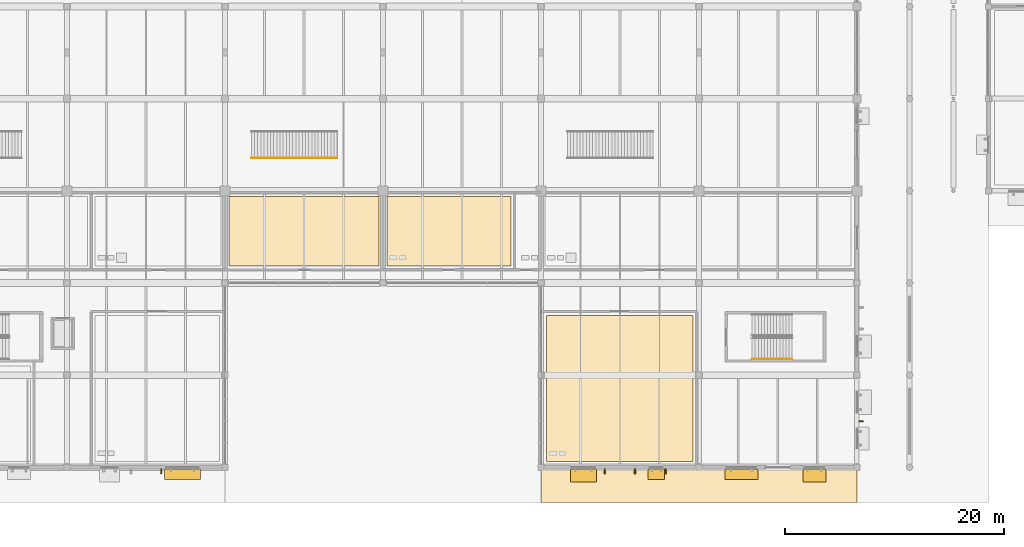
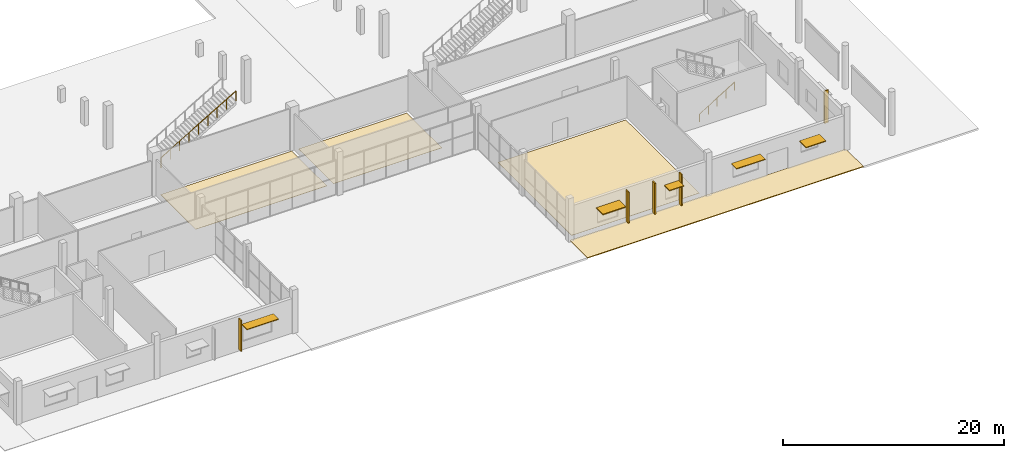
# One storey, part 114 of 130: 10 shading devices, 4 coverings, 2 railings.
"""IFC4 building model written with IfcOpenShell, lengths in metres."""

import ifcopenshell
import ifcopenshell.guid

model = None  # the IFC model being written
_history = None  # IfcOwnerHistory: only IFC2X3 demands one
_inside = {}  # id of a spatial element -> (the spatial element, [elements in it])
_under = {}  # id of a project, library or spatial element -> (it, [spatial elements below it])
_declared = {}  # id of a project -> (the project, [libraries it declares])
_typed = {}  # id of a type object -> (the type object, [elements of that type])
_made_of = {}  # id of a material, layer set ... -> (it, [elements and type objects made of it])


def new_model(schema):
    """Start an empty IFC model of exactly this schema.

    Asked for "IFC4X3", IfcOpenShell would pick the latest addendum, in which some entities
    have other attributes; the version numbers below select the first issue.
    IFC2X3 requires an IfcOwnerHistory on every rooted entity: one is made here for all.
    """
    global model, _history
    if schema == "IFC4X3":
        model = ifcopenshell.file(schema_version=(4, 3, 0, 0))
    else:
        model = ifcopenshell.file(schema=schema)
    _inside.clear()
    _under.clear()
    _declared.clear()
    _typed.clear()
    _made_of.clear()
    _history = None
    if model.schema == "IFC2X3":
        org = make("IfcOrganization", Name="unknown")
        user = make(
            "IfcPersonAndOrganization",
            ThePerson=make("IfcPerson", FamilyName="unknown"),
            TheOrganization=org,
        )
        app = make(
            "IfcApplication",
            ApplicationDeveloper=org,
            Version="unknown",
            ApplicationFullName="unknown",
            ApplicationIdentifier="unknown",
        )
        _history = make(
            "IfcOwnerHistory",
            OwningUser=user,
            OwningApplication=app,
            ChangeAction="ADDED",
            CreationDate=0,
        )
    return model


def make(cls, **values):
    """One entity of the class cls with the attributes given. An attribute that is None is left unset."""
    return model.create_entity(
        cls, **{name: value for name, value in values.items() if value is not None}
    )


def rooted(cls, **values):
    """An entity with a GlobalId (a new one), such as an element, a storey or a relation."""
    return make(cls, GlobalId=ifcopenshell.guid.new(), OwnerHistory=_history, **values)


def si_unit(unit_type, name, prefix=None):
    """IfcSIUnit, for example si_unit("LENGTHUNIT", "METRE", prefix="MILLI")."""
    return make("IfcSIUnit", UnitType=unit_type, Prefix=prefix, Name=name)


def assignment(units):
    """IfcUnitAssignment: the units of a project."""
    return None if units is None else make("IfcUnitAssignment", Units=units)


def point(xyz):
    """IfcCartesianPoint."""
    return None if xyz is None else make("IfcCartesianPoint", Coordinates=xyz)


def direction(xyz):
    """IfcDirection."""
    return None if xyz is None else make("IfcDirection", DirectionRatios=xyz)


def frame(location, z_axis=None, x_axis=None):
    """IfcAxis2Placement3D, a coordinate frame: its origin and axes. An axis left out is left unset."""
    return make(
        "IfcAxis2Placement3D",
        Location=point(location),
        Axis=direction(z_axis),
        RefDirection=direction(x_axis),
    )


def frame_2d(location, x_axis=None):
    """IfcAxis2Placement2D, a coordinate frame in the plane: its origin and x axis."""
    return make(
        "IfcAxis2Placement2D", Location=point(location), RefDirection=direction(x_axis)
    )


def origin():
    """The frame at (0, 0, 0) with its axes left unset."""
    return frame((0.0, 0.0, 0.0))


def origin_2d():
    """The frame at (0, 0) in the plane with its x axis left unset."""
    return frame_2d((0.0, 0.0))


def place(relative_to, where):
    """IfcLocalPlacement: puts the frame where relative to a parent placement (None: the world)."""
    return make(
        "IfcLocalPlacement", PlacementRelTo=relative_to, RelativePlacement=where
    )


def context(
    kind, dimensions, precision=None, world=None, true_north=None, identifier=None
):
    """IfcGeometricRepresentationContext, for example the 3D "Model" context."""
    return make(
        "IfcGeometricRepresentationContext",
        ContextIdentifier=identifier,
        ContextType=kind,
        CoordinateSpaceDimension=dimensions,
        Precision=precision,
        WorldCoordinateSystem=world,
        TrueNorth=true_north,
    )


def subcontext(parent, identifier, kind, view, scale=None):
    """IfcGeometricRepresentationSubContext, for example "Body" below "Model"."""
    return make(
        "IfcGeometricRepresentationSubContext",
        ContextIdentifier=identifier,
        ContextType=kind,
        ParentContext=parent,
        TargetScale=scale,
        TargetView=view,
    )


def project(units=None, contexts=None):
    """IfcProject with its units and contexts."""
    return rooted(
        "IfcProject",
        Name="project",
        RepresentationContexts=contexts,
        UnitsInContext=assignment(units),
    )


def spatial(cls, under=None, at=None, **own):
    """A site, building, storey or space (cls), placed at a placement, below another one or the project."""
    s = rooted(cls, ObjectPlacement=at, **own)
    if under is not None:
        _under.setdefault(under.id(), (under, []))[1].append(s)
    return s


def polyline(points):
    """IfcPolyline through the points."""
    return make("IfcPolyline", Points=[point(p) for p in points])


def profile(cls, at=None, kind="AREA", **sizes):
    """A parametric profile (cls). Its sizes go by their IFC names, for example OverallWidth=200.0."""
    return make(cls, ProfileType=kind, Position=at, **sizes)


def rectangle(**sizes):
    """IfcRectangleProfileDef."""
    return profile("IfcRectangleProfileDef", **sizes)


def circle(**sizes):
    """IfcCircleProfileDef."""
    return profile("IfcCircleProfileDef", **sizes)


def outline(outer, holes=None, kind="AREA"):
    """IfcArbitraryClosedProfileDef: a profile drawn as a closed curve; with holes, ...WithVoids."""
    if holes is None:
        return make("IfcArbitraryClosedProfileDef", ProfileType=kind, OuterCurve=outer)
    return make(
        "IfcArbitraryProfileDefWithVoids",
        ProfileType=kind,
        OuterCurve=outer,
        InnerCurves=holes,
    )


def extrude(swept, where, along, depth):
    """IfcExtrudedAreaSolid: the profile swept, set in the frame where, extruded along a direction by depth."""
    return make(
        "IfcExtrudedAreaSolid",
        SweptArea=swept,
        Position=where,
        ExtrudedDirection=direction(along),
        Depth=depth,
    )


def shape(context_of_items, identifier, shape_type, items):
    """IfcShapeRepresentation: the items that make up one representation, for example the "Body"."""
    return make(
        "IfcShapeRepresentation",
        ContextOfItems=context_of_items,
        RepresentationIdentifier=identifier,
        RepresentationType=shape_type,
        Items=items,
    )


def material(Name=None, Category=None):
    """IfcMaterial."""
    return make("IfcMaterial", Name=Name, Category=Category)


def layer(
    of_material, thickness, ventilated=None, Name=None, Category=None, Priority=None
):
    """IfcMaterialLayer: one layer of a wall or slab, of a material (None: an air gap)."""
    return make(
        "IfcMaterialLayer",
        Material=of_material,
        LayerThickness=thickness,
        IsVentilated=ventilated,
        Name=Name,
        Category=Category,
        Priority=Priority,
    )


def layer_set(layers, Name=None):
    """IfcMaterialLayerSet."""
    return make("IfcMaterialLayerSet", MaterialLayers=layers, LayerSetName=Name)


def made_of(thing, what):
    """Note that an element or type object is made of a material, layer set ...; save() writes the relation."""
    if what is not None:
        _made_of.setdefault(what.id(), (what, []))[1].append(thing)
    return thing


def type_object(cls, material=None, **own):
    """A type object (cls), such as IfcWallType, which elements share."""
    return made_of(rooted(cls, **own), material)


def element(
    cls,
    number,
    at=None,
    inside=None,
    cuts=None,
    type_object=None,
    material=None,
    context=None,
    identifier="Body",
    shape_type=None,
    held_by="IfcProductDefinitionShape",
    body=None,
    shapes=None,
    **own,
):
    """One element of the class cls, such as IfcWall. Its Tag is "e" and its number.

    at: its placement. inside: the storey or other place that contains it. cuts: it is an
    opening in that element (IfcRelVoidsElement). A single representation is given by context,
    identifier, shape_type and body (its items); several are given by shapes. held_by: the class
    of the entity that holds the representations. save() writes the other relations.
    """
    e = rooted(cls, Tag="e%d" % number, ObjectPlacement=at, **own)
    if body is not None:
        shapes = [shape(context, identifier, shape_type, body)]
    if shapes is not None:
        e.Representation = make(held_by, Representations=shapes)
    if inside is not None:
        _inside.setdefault(inside.id(), (inside, []))[1].append(e)
    if cuts is not None:
        rooted(
            "IfcRelVoidsElement", RelatingBuildingElement=cuts, RelatedOpeningElement=e
        )
    if type_object is not None:
        _typed.setdefault(type_object.id(), (type_object, []))[1].append(e)
    return made_of(e, material)


def aggregate(whole, parts):
    """IfcRelAggregates: a whole, such as a stair, and the parts it consists of."""
    return rooted("IfcRelAggregates", RelatingObject=whole, RelatedObjects=parts)


def save(model, path):
    """Write the relations noted so far, then the file.

    IfcRelAggregates (storeys below a building ...), IfcRelContainedInSpatialStructure (elements
    in a storey), IfcRelDefinesByType, IfcRelAssociatesMaterial and IfcRelDeclares: one each for
    every whole, place, type object, material and project.
    """
    for whole, parts in _under.values():
        aggregate(whole, parts)
    for where, things in _inside.values():
        rooted(
            "IfcRelContainedInSpatialStructure",
            RelatedElements=things,
            RelatingStructure=where,
        )
    for kind, things in _typed.values():
        rooted("IfcRelDefinesByType", RelatedObjects=things, RelatingType=kind)
    for what, things in _made_of.values():
        rooted("IfcRelAssociatesMaterial", RelatedObjects=things, RelatingMaterial=what)
    for by, libraries in _declared.values():
        rooted("IfcRelDeclares", RelatingContext=by, RelatedDefinitions=libraries)
    model.write(path)


model = new_model("IFC4")

# Units and contexts
model_context = context("Model", 3, precision=1e-05, world=origin(), true_north=direction((0.0, 1.0)))
body_context = subcontext(model_context, "Body", "Model", "MODEL_VIEW")
ifc_project = project(units=[si_unit("LENGTHUNIT", "METRE"), si_unit("AREAUNIT", "SQUARE_METRE"), si_unit("VOLUMEUNIT", "CUBIC_METRE"), si_unit("PLANEANGLEUNIT", "RADIAN"), si_unit("MASSUNIT", "GRAM", prefix="KILO"), si_unit("THERMODYNAMICTEMPERATUREUNIT", "KELVIN")], contexts=[model_context])

# Site, building, storey
site_placement = place(None, origin())
site = spatial("IfcSite", under=ifc_project, at=site_placement, CompositionType="ELEMENT")
building_placement = place(site_placement, origin())
building = spatial("IfcBuilding", under=site, at=building_placement, Name="Nduvali Passage Aquatics Centre", CompositionType="ELEMENT")
storey_placement = place(building_placement, origin())
storey = spatial("IfcBuildingStorey", under=building, at=storey_placement, Name="L00", CompositionType="ELEMENT", Elevation=0.0)

# Shading devices
ifc_material_1 = material(Name="Glulam GL28h", Category="wood")
shading_device_type_1 = type_object("IfcShadingDeviceType", Name="ENV-SHD-FIN1", PredefinedType="USERDEFINED", material=ifc_material_1)
for number, where, z_axis, x_axis, name in (
    (1, (62.5849609375, -0.375, 0.2001953125), (0.0, 0.0, 1.0), (1.0, 0.0, 0.0), "L00 Vertical Glulam Facade Fin 0006"),
    (2, (103.014892578125, -0.375, 0.2001953125), (0.0, 0.0, 1.0), (1.0, 0.0, 0.0), "L00 Vertical Glulam Facade Fin 0009"),
    (3, (105.784912109375, -0.375, 0.2001953125), (0.0, 0.0, 1.0), (1.0, 0.0, 0.0), "L00 Vertical Glulam Facade Fin 0010"),
    (4, (108.554931640625, -0.375, 0.2001953125), (0.0, 0.0, 1.0), (1.0, 0.0, 0.0), "L00 Vertical Glulam Facade Fin 0011"),
):
    element("IfcShadingDevice", number, at=place(storey_placement, frame(where, z_axis=z_axis, x_axis=x_axis)), inside=storey, type_object=shading_device_type_1, Name=name, ObjectType="VERTICAL FIN", PredefinedType="USERDEFINED", context=body_context, shape_type="SweptSolid", body=[
        extrude(rectangle(XDim=0.1201171875, YDim=0.43994140625, at=origin_2d()), origin(), (0.0, 0.0, 1.0), 3.432373046875),
    ])
shading_device_1_placement = place(storey_placement, frame((126.375, 4.199951171875, 0.2001953125), z_axis=(0.0, 0.0, 1.0), x_axis=(0.0, 1.0, 0.0)))
element("IfcShadingDevice", 5, at=shading_device_1_placement, inside=storey, type_object=shading_device_type_1, Name="L00 Vertical Glulam Facade Fin 0018", ObjectType="VERTICAL FIN", PredefinedType="USERDEFINED", context=body_context, shape_type="SweptSolid", body=[
    extrude(rectangle(XDim=0.1201171875, YDim=0.43994140625, at=origin_2d()), origin(), (0.0, 0.0, 1.0), 3.576416015625),
])
ifc_material_2 = material(Name="Aluminium EN AW-6063 T6", Category="aluminium")
ifc_layer_1 = layer(ifc_material_2, 0.090087890625, Name="Aluminium EN AW-6063 T6")
ifc_layer_set_1 = layer_set([ifc_layer_1], Name="Aluminium EN AW-6063 T6")
shading_device_type_2 = type_object("IfcShadingDeviceType", Name="ENV-SHD-SUN1", PredefinedType="AWNING", material=ifc_layer_set_1)
shading_device_2_placement = place(storey_placement, frame((101.075927734375, -0.75, 2.65478515625), z_axis=(0.0, 0.0, 1.0), x_axis=(1.0, 0.0, 0.0)))
element("IfcShadingDevice", 6, at=shading_device_2_placement, inside=storey, type_object=shading_device_type_2, Name="L00 Horizontal Monsoon Sunshade 0007", PredefinedType="AWNING", context=body_context, shape_type="SweptSolid", body=[
    extrude(rectangle(XDim=2.39990234375, YDim=1.199951171875, at=origin_2d()), origin(), (0.0, 0.0, 1.0), 0.090087890625),
])
shading_device_3_placement = place(storey_placement, frame((122.1240234375, -0.75, 2.60498046875), z_axis=(0.0, 0.0, 1.0), x_axis=(1.0, 0.0, 0.0)))
element("IfcShadingDevice", 7, at=shading_device_3_placement, inside=storey, type_object=shading_device_type_2, Name="L00 Horizontal Monsoon Sunshade 0013", PredefinedType="AWNING", context=body_context, shape_type="SweptSolid", body=[
    extrude(rectangle(XDim=2.10009765625, YDim=1.199951171875, at=origin_2d()), origin(), (0.0, 0.0, 1.0), 0.090087890625),
])
ifc_layer_2 = layer(ifc_material_2, 0.080078125, Name="Aluminium EN AW-6063 T6")
ifc_layer_set_2 = layer_set([ifc_layer_2], Name="Aluminium EN AW-6063 T6")
shading_device_type_3 = type_object("IfcShadingDeviceType", Name="ENV-SHD-SUN2", PredefinedType="AWNING", material=ifc_layer_set_2)
shading_device_4_placement = place(storey_placement, frame((64.52392578125, -0.625, 2.760009765625), z_axis=(0.0, 0.0, 1.0), x_axis=(1.0, 0.0, 0.0)))
element("IfcShadingDevice", 8, at=shading_device_4_placement, inside=storey, type_object=shading_device_type_3, Name="L00 Horizontal Monsoon Sunshade 0004", PredefinedType="AWNING", context=body_context, shape_type="SweptSolid", body=[
    extrude(rectangle(XDim=3.300048828125, YDim=0.949951171875, at=origin_2d()), origin(), (0.0, 0.0, 1.0), 0.080078125),
])
shading_device_5_placement = place(storey_placement, frame((107.72412109375, -0.625, 2.659912109375), z_axis=(0.0, 0.0, 1.0), x_axis=(1.0, 0.0, 0.0)))
element("IfcShadingDevice", 9, at=shading_device_5_placement, inside=storey, type_object=shading_device_type_3, Name="L00 Horizontal Monsoon Sunshade 0008", PredefinedType="AWNING", context=body_context, shape_type="SweptSolid", body=[
    extrude(rectangle(XDim=1.5, YDim=0.949951171875, at=origin_2d()), origin(), (0.0, 0.0, 1.0), 0.080078125),
])
shading_device_6_placement = place(storey_placement, frame((115.47607421875, -0.625, 2.60986328125), z_axis=(0.0, 0.0, 1.0), x_axis=(1.0, 0.0, 0.0)))
element("IfcShadingDevice", 10, at=shading_device_6_placement, inside=storey, type_object=shading_device_type_3, Name="L00 Horizontal Monsoon Sunshade 0012", PredefinedType="AWNING", context=body_context, shape_type="SweptSolid", body=[
    extrude(rectangle(XDim=3.0, YDim=0.949951171875, at=origin_2d()), origin(), (0.0, 0.0, 1.0), 0.080078125),
])

# Coverings
ifc_material_3 = material(Name="Polished coral-aggregate terrazzo")
ifc_layer_3 = layer(ifc_material_3, 0.030029296875, Name="Polished coral-aggregate terrazzo")
ifc_layer_set_3 = layer_set([ifc_layer_3], Name="Polished coral-aggregate terrazzo")
covering_type_1 = type_object("IfcCoveringType", Name="INT-COV-TERRAZZO", PredefinedType="FLOORING", material=ifc_layer_set_3)
covering_1_placement = place(storey_placement, origin())
element("IfcCovering", 11, at=covering_1_placement, inside=storey, type_object=covering_type_1, Name="L00 Poolside First Aid and Lifeguard Medical Room Floor Finish", PredefinedType="FLOORING", context=body_context, shape_type="SweptSolid", body=[
    extrude(outline(polyline([(68.75, 18.35009765625), (82.449951171875, 18.35009765625), (82.449951171875, 24.68994140625), (68.75, 24.68994140625), (68.75, 18.35009765625)])), origin(), (0.0, 0.0, 1.0), 0.030029296875),
])
ifc_material_4 = material(Name="Anti-slip ceramic pool deck tile")
ifc_layer_4 = layer(ifc_material_4, 0.02490234375, Name="Anti-slip ceramic pool deck tile")
ifc_layer_set_4 = layer_set([ifc_layer_4], Name="Anti-slip ceramic pool deck tile")
covering_type_2 = type_object("IfcCoveringType", Name="INT-COV-TILE", PredefinedType="FLOORING", material=ifc_layer_set_4)
covering_2_placement = place(storey_placement, origin())
element("IfcCovering", 12, at=covering_2_placement, inside=storey, type_object=covering_type_2, Name="L00 Bather Wet Toilets and Washrooms Floor Finish", PredefinedType="FLOORING", context=body_context, shape_type="SweptSolid", body=[
    extrude(outline(polyline([(83.14990234375, 18.35009765625), (94.449951171875, 18.35009765625), (94.449951171875, 24.68994140625), (83.14990234375, 24.68994140625), (83.14990234375, 18.35009765625)])), origin(), (0.0, 0.0, 1.0), 0.02490234375),
])
covering_3_placement = place(storey_placement, origin())
element("IfcCovering", 13, at=covering_3_placement, inside=storey, type_object=covering_type_2, Name="L00 East Pre-Swim Cleansing Shower Gallery Floor Finish", PredefinedType="FLOORING", context=body_context, shape_type="SweptSolid", body=[
    extrude(outline(polyline([(97.699951171875, 0.530029296875), (111.050048828125, 0.530029296875), (111.050048828125, 13.85009765625), (97.699951171875, 13.85009765625), (97.699951171875, 0.530029296875)])), origin(), (0.0, 0.0, 1.0), 0.02490234375),
])

# Railings
ifc_material_5 = material(Name="Stainless steel balustrade", Category="steel")
railing_type_1 = type_object("IfcRailingType", Name="INT-RLG-GRD110", PredefinedType="GUARDRAIL", material=ifc_material_5)
railing_1_placement = place(storey_placement, frame((70.800048828125, 28.18505859375, 0.17138671875)))
element("IfcRailing", 14, at=railing_1_placement, inside=storey, type_object=railing_type_1, Name="Vomitory VST2 Guardrail 1", PredefinedType="GUARDRAIL", context=body_context, shape_type="SweptSolid", body=[
    extrude(circle(Radius=0.02392578125, at=origin_2d()), frame((0.0, 0.0, 1.076171875), z_axis=(0.860833000102, 0.0, 0.508887557261), x_axis=(0.0, 1.0, 0.0)), (0.0, 0.0, 1.0), 9.095703125),
    extrude(circle(Radius=0.02099609375, at=origin_2d()), origin(), (0.0, 0.0, 1.0), 1.052001953125),
    extrude(circle(Radius=0.02099609375, at=origin_2d()), frame((0.978759765625, 0.0, 0.57861328125)), (0.0, 0.0, 1.0), 1.052001953125),
    extrude(circle(Radius=0.02099609375, at=origin_2d()), frame((1.95751953125, 0.0, 1.1572265625)), (0.0, 0.0, 1.0), 1.052001953125),
    extrude(circle(Radius=0.02099609375, at=origin_2d()), frame((2.936279296875, 0.0, 1.73583984375)), (0.0, 0.0, 1.0), 1.052001953125),
    extrude(circle(Radius=0.02099609375, at=origin_2d()), frame((3.9150390625, 0.0, 2.314453125)), (0.0, 0.0, 1.0), 1.052001953125),
    extrude(circle(Radius=0.02099609375, at=origin_2d()), frame((4.8935546875, 0.0, 2.892822265625)), (0.0, 0.0, 1.0), 1.052001953125),
    extrude(circle(Radius=0.02099609375, at=origin_2d()), frame((5.872314453125, 0.0, 3.471435546875)), (0.0, 0.0, 1.0), 1.052001953125),
    extrude(circle(Radius=0.02099609375, at=origin_2d()), frame((6.85107421875, 0.0, 4.050048828125)), (0.0, 0.0, 1.0), 1.052001953125),
    extrude(circle(Radius=0.02099609375, at=origin_2d()), frame((7.829833984375, 0.0, 4.628662109375)), (0.0, 0.0, 1.0), 1.052001953125),
])
railing_type_2 = type_object("IfcRailingType", Name="INT-RLG-HND90", PredefinedType="HANDRAIL", material=ifc_material_5)
railing_2_placement = place(storey_placement, frame((116.449951171875, 9.85009765625, 0.346435546875)))
element("IfcRailing", 15, at=railing_2_placement, inside=storey, type_object=railing_type_2, Name="L00 ST6 stair handrail 1", PredefinedType="HANDRAIL", context=body_context, shape_type="SweptSolid", body=[
    extrude(circle(Radius=0.02392578125, at=origin_2d()), frame((0.0, 0.0, 0.8759765625), z_axis=(0.852865859571, 0.0, 0.52213008492), x_axis=(0.0, 1.0, 0.0)), (0.0, 0.0, 1.0), 4.26806640625),
    extrude(circle(Radius=0.02099609375, at=origin_2d()), origin(), (0.0, 0.0, 1.0), 0.851806640625),
    extrude(circle(Radius=0.02099609375, at=origin_2d()), frame((0.91015625, 0.0, 0.55712890625)), (0.0, 0.0, 1.0), 0.851806640625),
    extrude(circle(Radius=0.02099609375, at=origin_2d()), frame((1.820068359375, 0.0, 1.1142578125)), (0.0, 0.0, 1.0), 0.851806640625),
    extrude(circle(Radius=0.02099609375, at=origin_2d()), frame((2.72998046875, 0.0, 1.67138671875)), (0.0, 0.0, 1.0), 0.851806640625),
    extrude(circle(Radius=0.02099609375, at=origin_2d()), frame((3.64013671875, 0.0, 2.228515625)), (0.0, 0.0, 1.0), 0.851806640625),
])

# Covering
ifc_material_6 = material(Name="Coral-stone masonry blockwork", Category="masonry")
ifc_layer_5 = layer(ifc_material_6, 0.080078125, Name="Coral-stone masonry blockwork")
ifc_layer_set_5 = layer_set([ifc_layer_5], Name="Coral-stone masonry blockwork")
covering_type_3 = type_object("IfcCoveringType", Name="STR-COV-PAV80", PredefinedType="USERDEFINED", material=ifc_layer_set_5)
covering_4_placement = place(storey_placement, frame((0.0, 0.0, -0.080078125)))
element("IfcCovering", 16, at=covering_4_placement, inside=storey, type_object=covering_type_3, Name="L00 South Avenue East Promenade Paving", ObjectType="PAVING", PredefinedType="USERDEFINED", context=body_context, shape_type="SweptSolid", body=[
    extrude(outline(polyline([(97.199951171875, -3.199951171875), (126.0, -3.199951171875), (126.0, 0.0), (97.199951171875, 0.0), (97.199951171875, -3.199951171875)])), origin(), (0.0, 0.0, 1.0), 0.080078125),
])

save(model, "model.ifc")
